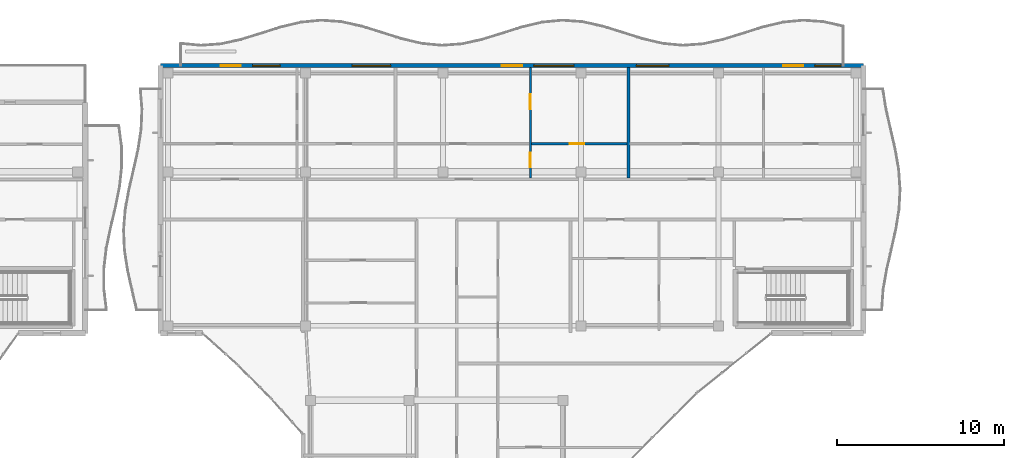
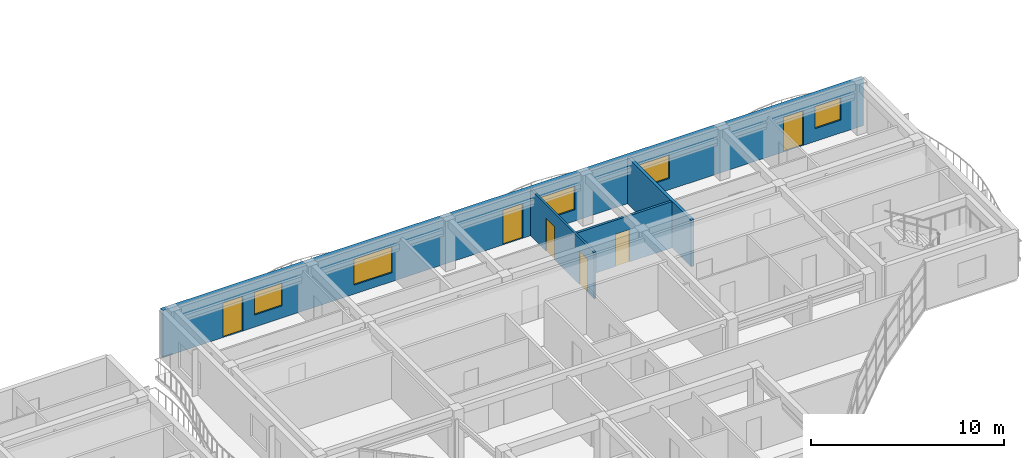
# One storey, part 36 of 71: 6 doors, 5 windows, 4 walls, 11 openings.
"""IFC4 building model written with IfcOpenShell, lengths in metres."""

import ifcopenshell
import ifcopenshell.guid

model = None  # the IFC model being written
_history = None  # IfcOwnerHistory: only IFC2X3 demands one
_inside = {}  # id of a spatial element -> (the spatial element, [elements in it])
_under = {}  # id of a project, library or spatial element -> (it, [spatial elements below it])
_declared = {}  # id of a project -> (the project, [libraries it declares])
_typed = {}  # id of a type object -> (the type object, [elements of that type])
_made_of = {}  # id of a material, layer set ... -> (it, [elements and type objects made of it])


def new_model(schema):
    """Start an empty IFC model of exactly this schema.

    Asked for "IFC4X3", IfcOpenShell would pick the latest addendum, in which some entities
    have other attributes; the version numbers below select the first issue.
    IFC2X3 requires an IfcOwnerHistory on every rooted entity: one is made here for all.
    """
    global model, _history
    if schema == "IFC4X3":
        model = ifcopenshell.file(schema_version=(4, 3, 0, 0))
    else:
        model = ifcopenshell.file(schema=schema)
    _inside.clear()
    _under.clear()
    _declared.clear()
    _typed.clear()
    _made_of.clear()
    _history = None
    if model.schema == "IFC2X3":
        org = make("IfcOrganization", Name="unknown")
        user = make(
            "IfcPersonAndOrganization",
            ThePerson=make("IfcPerson", FamilyName="unknown"),
            TheOrganization=org,
        )
        app = make(
            "IfcApplication",
            ApplicationDeveloper=org,
            Version="unknown",
            ApplicationFullName="unknown",
            ApplicationIdentifier="unknown",
        )
        _history = make(
            "IfcOwnerHistory",
            OwningUser=user,
            OwningApplication=app,
            ChangeAction="ADDED",
            CreationDate=0,
        )
    return model


def make(cls, **values):
    """One entity of the class cls with the attributes given. An attribute that is None is left unset."""
    return model.create_entity(
        cls, **{name: value for name, value in values.items() if value is not None}
    )


def rooted(cls, **values):
    """An entity with a GlobalId (a new one), such as an element, a storey or a relation."""
    return make(cls, GlobalId=ifcopenshell.guid.new(), OwnerHistory=_history, **values)


def si_unit(unit_type, name, prefix=None):
    """IfcSIUnit, for example si_unit("LENGTHUNIT", "METRE", prefix="MILLI")."""
    return make("IfcSIUnit", UnitType=unit_type, Prefix=prefix, Name=name)


def assignment(units):
    """IfcUnitAssignment: the units of a project."""
    return None if units is None else make("IfcUnitAssignment", Units=units)


def point(xyz):
    """IfcCartesianPoint."""
    return None if xyz is None else make("IfcCartesianPoint", Coordinates=xyz)


def direction(xyz):
    """IfcDirection."""
    return None if xyz is None else make("IfcDirection", DirectionRatios=xyz)


def frame(location, z_axis=None, x_axis=None):
    """IfcAxis2Placement3D, a coordinate frame: its origin and axes. An axis left out is left unset."""
    return make(
        "IfcAxis2Placement3D",
        Location=point(location),
        Axis=direction(z_axis),
        RefDirection=direction(x_axis),
    )


def frame_2d(location, x_axis=None):
    """IfcAxis2Placement2D, a coordinate frame in the plane: its origin and x axis."""
    return make(
        "IfcAxis2Placement2D", Location=point(location), RefDirection=direction(x_axis)
    )


def origin():
    """The frame at (0, 0, 0) with its axes left unset."""
    return frame((0.0, 0.0, 0.0))


def place(relative_to, where):
    """IfcLocalPlacement: puts the frame where relative to a parent placement (None: the world)."""
    return make(
        "IfcLocalPlacement", PlacementRelTo=relative_to, RelativePlacement=where
    )


def context(
    kind, dimensions, precision=None, world=None, true_north=None, identifier=None
):
    """IfcGeometricRepresentationContext, for example the 3D "Model" context."""
    return make(
        "IfcGeometricRepresentationContext",
        ContextIdentifier=identifier,
        ContextType=kind,
        CoordinateSpaceDimension=dimensions,
        Precision=precision,
        WorldCoordinateSystem=world,
        TrueNorth=true_north,
    )


def subcontext(parent, identifier, kind, view, scale=None):
    """IfcGeometricRepresentationSubContext, for example "Body" below "Model"."""
    return make(
        "IfcGeometricRepresentationSubContext",
        ContextIdentifier=identifier,
        ContextType=kind,
        ParentContext=parent,
        TargetScale=scale,
        TargetView=view,
    )


def project(units=None, contexts=None):
    """IfcProject with its units and contexts."""
    return rooted(
        "IfcProject",
        Name="project",
        RepresentationContexts=contexts,
        UnitsInContext=assignment(units),
    )


def spatial(cls, under=None, at=None, **own):
    """A site, building, storey or space (cls), placed at a placement, below another one or the project."""
    s = rooted(cls, ObjectPlacement=at, **own)
    if under is not None:
        _under.setdefault(under.id(), (under, []))[1].append(s)
    return s


def profile(cls, at=None, kind="AREA", **sizes):
    """A parametric profile (cls). Its sizes go by their IFC names, for example OverallWidth=200.0."""
    return make(cls, ProfileType=kind, Position=at, **sizes)


def rectangle(**sizes):
    """IfcRectangleProfileDef."""
    return profile("IfcRectangleProfileDef", **sizes)


def extrude(swept, where, along, depth):
    """IfcExtrudedAreaSolid: the profile swept, set in the frame where, extruded along a direction by depth."""
    return make(
        "IfcExtrudedAreaSolid",
        SweptArea=swept,
        Position=where,
        ExtrudedDirection=direction(along),
        Depth=depth,
    )


def shape(context_of_items, identifier, shape_type, items):
    """IfcShapeRepresentation: the items that make up one representation, for example the "Body"."""
    return make(
        "IfcShapeRepresentation",
        ContextOfItems=context_of_items,
        RepresentationIdentifier=identifier,
        RepresentationType=shape_type,
        Items=items,
    )


def material(Name=None, Category=None):
    """IfcMaterial."""
    return make("IfcMaterial", Name=Name, Category=Category)


def layer(
    of_material, thickness, ventilated=None, Name=None, Category=None, Priority=None
):
    """IfcMaterialLayer: one layer of a wall or slab, of a material (None: an air gap)."""
    return make(
        "IfcMaterialLayer",
        Material=of_material,
        LayerThickness=thickness,
        IsVentilated=ventilated,
        Name=Name,
        Category=Category,
        Priority=Priority,
    )


def layer_set(layers, Name=None):
    """IfcMaterialLayerSet."""
    return make("IfcMaterialLayerSet", MaterialLayers=layers, LayerSetName=Name)


def made_of(thing, what):
    """Note that an element or type object is made of a material, layer set ...; save() writes the relation."""
    if what is not None:
        _made_of.setdefault(what.id(), (what, []))[1].append(thing)
    return thing


def type_object(cls, material=None, **own):
    """A type object (cls), such as IfcWallType, which elements share."""
    return made_of(rooted(cls, **own), material)


def element(
    cls,
    number,
    at=None,
    inside=None,
    cuts=None,
    type_object=None,
    material=None,
    context=None,
    identifier="Body",
    shape_type=None,
    held_by="IfcProductDefinitionShape",
    body=None,
    shapes=None,
    **own,
):
    """One element of the class cls, such as IfcWall. Its Tag is "e" and its number.

    at: its placement. inside: the storey or other place that contains it. cuts: it is an
    opening in that element (IfcRelVoidsElement). A single representation is given by context,
    identifier, shape_type and body (its items); several are given by shapes. held_by: the class
    of the entity that holds the representations. save() writes the other relations.
    """
    e = rooted(cls, Tag="e%d" % number, ObjectPlacement=at, **own)
    if body is not None:
        shapes = [shape(context, identifier, shape_type, body)]
    if shapes is not None:
        e.Representation = make(held_by, Representations=shapes)
    if inside is not None:
        _inside.setdefault(inside.id(), (inside, []))[1].append(e)
    if cuts is not None:
        rooted(
            "IfcRelVoidsElement", RelatingBuildingElement=cuts, RelatedOpeningElement=e
        )
    if type_object is not None:
        _typed.setdefault(type_object.id(), (type_object, []))[1].append(e)
    return made_of(e, material)


def fill(opening, filler):
    """IfcRelFillsElement: the door or window that sits in an opening."""
    return rooted(
        "IfcRelFillsElement",
        RelatingOpeningElement=opening,
        RelatedBuildingElement=filler,
    )


def aggregate(whole, parts):
    """IfcRelAggregates: a whole, such as a stair, and the parts it consists of."""
    return rooted("IfcRelAggregates", RelatingObject=whole, RelatedObjects=parts)


def save(model, path):
    """Write the relations noted so far, then the file.

    IfcRelAggregates (storeys below a building ...), IfcRelContainedInSpatialStructure (elements
    in a storey), IfcRelDefinesByType, IfcRelAssociatesMaterial and IfcRelDeclares: one each for
    every whole, place, type object, material and project.
    """
    for whole, parts in _under.values():
        aggregate(whole, parts)
    for where, things in _inside.values():
        rooted(
            "IfcRelContainedInSpatialStructure",
            RelatedElements=things,
            RelatingStructure=where,
        )
    for kind, things in _typed.values():
        rooted("IfcRelDefinesByType", RelatedObjects=things, RelatingType=kind)
    for what, things in _made_of.values():
        rooted("IfcRelAssociatesMaterial", RelatedObjects=things, RelatingMaterial=what)
    for by, libraries in _declared.values():
        rooted("IfcRelDeclares", RelatingContext=by, RelatedDefinitions=libraries)
    model.write(path)


model = new_model("IFC4")

# Units and contexts
model_context = context("Model", 3, precision=1e-05, world=origin(), true_north=direction((0.0, 1.0)))
body_context = subcontext(model_context, "Body", "Model", "MODEL_VIEW")
ifc_project = project(units=[si_unit("LENGTHUNIT", "METRE"), si_unit("AREAUNIT", "SQUARE_METRE"), si_unit("VOLUMEUNIT", "CUBIC_METRE"), si_unit("PLANEANGLEUNIT", "RADIAN"), si_unit("MASSUNIT", "GRAM", prefix="KILO")], contexts=[model_context])

# Site, building, storey
site_placement = place(None, origin())
site = spatial("IfcSite", under=ifc_project, at=site_placement, CompositionType="ELEMENT")
building_placement = place(site_placement, origin())
building = spatial("IfcBuilding", under=site, at=building_placement, Name="Keldmere Railside Commons", CompositionType="ELEMENT")
storey_placement = place(building_placement, frame((0.0, 0.0, 20.159912109375)))
storey = spatial("IfcBuildingStorey", under=building, at=storey_placement, Name="L06", CompositionType="ELEMENT", Elevation=20.159912109375)

# Wall
ifc_material_1 = material(Name="Acoustic Gypsum Board Partition", Category="gypsum")
ifc_layer_1 = layer(ifc_material_1, 0.179931640625, Name="Acoustic Demising Partition 180")
ifc_layer_set_1 = layer_set([ifc_layer_1], Name="Acoustic Gypsum Board Partition")
wall_type_1 = type_object("IfcWallType", Name="Acoustic Demising Partition 180", PredefinedType="PARTITIONING", material=ifc_layer_set_1)
wall_1_placement = place(storey_placement, frame((67.449951171875, 109.280029296875, 0.0), z_axis=(0.0, 0.0, 1.0), x_axis=(0.0, 1.0, 0.0)))
element("IfcWall", 1, at=wall_1_placement, inside=storey, type_object=wall_type_1, Name="IW-1 IW-L06-0751", PredefinedType="PARTITIONING", context=body_context, shape_type="SweptSolid", body=[
    extrude(rectangle(XDim=6.599853515625, YDim=0.179931640625, at=frame_2d((3.2998046875, 0.0))), origin(), (0.0, 0.0, 1.0), 2.93505859375),
])

# Wall, openings, doors
ifc_layer_2 = layer(ifc_material_1, 0.1201171875, Name="Apartment Interior Partition 120")
ifc_layer_set_2 = layer_set([ifc_layer_2], Name="Acoustic Gypsum Board Partition")
wall_type_2 = type_object("IfcWallType", Name="Apartment Interior Partition 120", PredefinedType="PARTITIONING", material=ifc_layer_set_2)
wall_2_placement = place(storey_placement, frame((61.60009765625, 109.280029296875, 0.0), z_axis=(0.0, 0.0, 1.0), x_axis=(0.0, 1.0, 0.0)))
wall_2 = element("IfcWall", 2, at=wall_2_placement, inside=storey, type_object=wall_type_2, Name="IW-4 IW-L06-0755", PredefinedType="PARTITIONING", context=body_context, shape_type="SweptSolid", body=[
    extrude(rectangle(XDim=6.599853515625, YDim=0.1201171875, at=frame_2d((3.2998046875, 0.0))), origin(), (0.0, 0.0, 1.0), 2.93505859375),
])
opening_1_placement = place(wall_2_placement, frame((0.656005859375, 0.0, 0.0)))
opening_1 = element("IfcOpeningElement", 3, at=opening_1_placement, cuts=wall_2, Name="Opening ID-04", PredefinedType="OPENING", context=body_context, shape_type="SweptSolid", body=[
    extrude(rectangle(XDim=0.860107421875, YDim=2.10009765625, at=frame_2d((0.43017578125, 1.050048828125))), frame((0.0, 0.070068359375, 0.0), z_axis=(0.0, -1.0, 0.0), x_axis=(1.0, 0.0, 0.0)), (0.0, 0.0, 1.0), 0.14013671875),
])
opening_2_placement = place(wall_2_placement, frame((4.097412109375, 0.0, 0.0)))
opening_2 = element("IfcOpeningElement", 4, at=opening_2_placement, cuts=wall_2, Name="Opening ID-01", PredefinedType="OPENING", context=body_context, shape_type="SweptSolid", body=[
    extrude(rectangle(XDim=0.89990234375, YDim=2.10009765625, at=frame_2d((0.449951171875, 1.050048828125))), frame((0.0, 0.070068359375, 0.0), z_axis=(0.0, -1.0, 0.0), x_axis=(1.0, 0.0, 0.0)), (0.0, 0.0, 1.0), 0.14013671875),
])
ifc_material_2 = material(Name="Engineered Oak Timber", Category="wood")
door_type_1 = type_object("IfcDoorType", Name="Apartment Bathroom Door 860x2100", OperationType="NOTDEFINED", PredefinedType="DOOR", material=ifc_material_2)
door_1_placement = place(opening_1_placement, origin())
door_1 = element("IfcDoor", 5, at=door_1_placement, inside=storey, type_object=door_type_1, Name="ID-04 IDR-L06-0641", OperationType="SINGLE_SWING_LEFT", OverallHeight=2.10009765625, OverallWidth=0.860107421875, PredefinedType="DOOR", context=body_context, shape_type="SweptSolid", body=[
    extrude(rectangle(XDim=0.860107421875, YDim=2.10009765625, at=frame_2d((0.43017578125, 1.050048828125))), frame((0.0, 0.02490234375, 0.0), z_axis=(0.0, -1.0, 0.0), x_axis=(1.0, 0.0, 0.0)), (0.0, 0.0, 1.0), 0.050048828125),
])
fill(opening_1, door_1)
door_type_2 = type_object("IfcDoorType", Name="Primary Bedroom Door 900x2100", OperationType="NOTDEFINED", PredefinedType="DOOR", material=ifc_material_2)
door_2_placement = place(opening_2_placement, origin())
door_2 = element("IfcDoor", 6, at=door_2_placement, inside=storey, type_object=door_type_2, Name="ID-01 IDR-L06-0642", OperationType="SINGLE_SWING_RIGHT", OverallHeight=2.10009765625, OverallWidth=0.89990234375, PredefinedType="DOOR", context=body_context, shape_type="SweptSolid", body=[
    extrude(rectangle(XDim=0.89990234375, YDim=2.10009765625, at=frame_2d((0.449951171875, 1.050048828125))), frame((0.0, 0.02490234375, 0.0), z_axis=(0.0, -1.0, 0.0), x_axis=(1.0, 0.0, 0.0)), (0.0, 0.0, 1.0), 0.050048828125),
])
fill(opening_2, door_2)

# Wall, openings, windows, doors
ifc_material_3 = material(Name="Architectural Precast Concrete H-35 (C35/45)", Category="concrete")
ifc_layer_3 = layer(ifc_material_3, 0.239990234375, Name="Sand-Ochre Precast Cavity Wall 240")
ifc_layer_set_3 = layer_set([ifc_layer_3], Name="Architectural Precast Concrete H-35 (C35/45)")
wall_type_3 = type_object("IfcWallType", Name="Sand-Ochre Precast Cavity Wall 240", PredefinedType="SOLIDWALL", material=ifc_layer_set_3)
wall_3_placement = place(storey_placement, frame((39.5, 116.0, 0.0), z_axis=(0.0, 0.0, 1.0), x_axis=(1.0, 0.0, 0.0)))
wall_3 = element("IfcWall", 7, at=wall_3_placement, inside=storey, type_object=wall_type_3, Name="EW-2 EXTC-L06-0375", PredefinedType="SOLIDWALL", context=body_context, shape_type="SweptSolid", body=[
    extrude(rectangle(XDim=42.0, YDim=0.239990234375, at=frame_2d((21.0, 0.0))), origin(), (0.0, 0.0, 1.0), 2.97998046875),
])
opening_3_placement = place(wall_3_placement, frame((3.60009765625, 0.0, 0.0)))
opening_3 = element("IfcOpeningElement", 8, at=opening_3_placement, cuts=wall_3, Name="Opening BD-01", PredefinedType="OPENING", context=body_context, shape_type="SweptSolid", body=[
    extrude(rectangle(XDim=1.199951171875, YDim=2.199951171875, at=frame_2d((0.60009765625, 1.10009765625))), frame((0.0, 0.1298828125, 0.0), z_axis=(0.0, -1.0, 0.0), x_axis=(1.0, 0.0, 0.0)), (0.0, 0.0, 1.0), 0.260009765625),
])
opening_4_placement = place(wall_3_placement, frame((5.5, 0.0, 0.77001953125)))
opening_4 = element("IfcOpeningElement", 9, at=opening_4_placement, cuts=wall_3, Name="Opening WN-03", PredefinedType="OPENING", context=body_context, shape_type="SweptSolid", body=[
    extrude(rectangle(XDim=1.64990234375, YDim=1.449951171875, at=frame_2d((0.824951171875, 0.72509765625))), frame((0.0, 0.1298828125, 0.0), z_axis=(0.0, -1.0, 0.0), x_axis=(1.0, 0.0, 0.0)), (0.0, 0.0, 1.0), 0.260009765625),
])
opening_5_placement = place(wall_3_placement, frame((11.449951171875, 0.0, 0.570068359375)))
opening_5 = element("IfcOpeningElement", 10, at=opening_5_placement, cuts=wall_3, Name="Opening WN-23", PredefinedType="OPENING", context=body_context, shape_type="SweptSolid", body=[
    extrude(rectangle(XDim=2.300048828125, YDim=1.64990234375, at=frame_2d((1.14990234375, 0.824951171875))), frame((0.0, 0.1298828125, 0.0), z_axis=(0.0, -1.0, 0.0), x_axis=(1.0, 0.0, 0.0)), (0.0, 0.0, 1.0), 0.260009765625),
])
opening_6_placement = place(wall_3_placement, frame((20.39990234375, 0.0, 0.0)))
opening_6 = element("IfcOpeningElement", 11, at=opening_6_placement, cuts=wall_3, Name="Opening BD-01", PredefinedType="OPENING", context=body_context, shape_type="SweptSolid", body=[
    extrude(rectangle(XDim=1.199951171875, YDim=2.199951171875, at=frame_2d((0.60009765625, 1.10009765625))), frame((0.0, 0.1298828125, 0.0), z_axis=(0.0, -1.0, 0.0), x_axis=(1.0, 0.0, 0.0)), (0.0, 0.0, 1.0), 0.260009765625),
])
opening_7_placement = place(wall_3_placement, frame((22.300048828125, 0.0, 0.719970703125)))
opening_7 = element("IfcOpeningElement", 12, at=opening_7_placement, cuts=wall_3, Name="Opening WN-05", PredefinedType="OPENING", context=body_context, shape_type="SweptSolid", body=[
    extrude(rectangle(XDim=2.39990234375, YDim=1.5, at=frame_2d((1.199951171875, 0.75))), frame((0.0, 0.1298828125, 0.0), z_axis=(0.0, -1.0, 0.0), x_axis=(1.0, 0.0, 0.0)), (0.0, 0.0, 1.0), 0.260009765625),
])
opening_8_placement = place(wall_3_placement, frame((28.425048828125, 0.0, 0.719970703125)))
opening_8 = element("IfcOpeningElement", 13, at=opening_8_placement, cuts=wall_3, Name="Opening WN-38", PredefinedType="OPENING", context=body_context, shape_type="SweptSolid", body=[
    extrude(rectangle(XDim=1.949951171875, YDim=1.5, at=frame_2d((0.97509765625, 0.75))), frame((0.0, 0.1298828125, 0.0), z_axis=(0.0, -1.0, 0.0), x_axis=(1.0, 0.0, 0.0)), (0.0, 0.0, 1.0), 0.260009765625),
])
opening_9_placement = place(wall_3_placement, frame((37.199951171875, 0.0, 0.0)))
opening_9 = element("IfcOpeningElement", 14, at=opening_9_placement, cuts=wall_3, Name="Opening BD-01", PredefinedType="OPENING", context=body_context, shape_type="SweptSolid", body=[
    extrude(rectangle(XDim=1.199951171875, YDim=2.199951171875, at=frame_2d((0.60009765625, 1.10009765625))), frame((0.0, 0.1298828125, 0.0), z_axis=(0.0, -1.0, 0.0), x_axis=(1.0, 0.0, 0.0)), (0.0, 0.0, 1.0), 0.260009765625),
])
opening_10_placement = place(wall_3_placement, frame((39.10009765625, 0.0, 0.820068359375)))
opening_10 = element("IfcOpeningElement", 15, at=opening_10_placement, cuts=wall_3, Name="Opening WN-07", PredefinedType="OPENING", context=body_context, shape_type="SweptSolid", body=[
    extrude(rectangle(XDim=1.550048828125, YDim=1.39990234375, at=frame_2d((0.77490234375, 0.699951171875))), frame((0.0, 0.1298828125, 0.0), z_axis=(0.0, -1.0, 0.0), x_axis=(1.0, 0.0, 0.0)), (0.0, 0.0, 1.0), 0.260009765625),
])
ifc_material_4 = material(Name="Low-E Insulated Double Glazing", Category="glass")
window_type_1 = type_object("IfcWindowType", Name="Adaptable Apartment Wide Window 1950x1500", PartitioningType="SINGLE_PANEL", PredefinedType="WINDOW", material=ifc_material_4)
window_1_placement = place(opening_8_placement, origin())
window_1 = element("IfcWindow", 16, at=window_1_placement, inside=storey, type_object=window_type_1, Name="WN-38 WIN-L06-0279", OverallHeight=1.5, OverallWidth=1.949951171875, PartitioningType="SINGLE_PANEL", PredefinedType="WINDOW", context=body_context, shape_type="SweptSolid", body=[
    extrude(rectangle(XDim=1.949951171875, YDim=1.5, at=frame_2d((0.97509765625, 0.75))), frame((0.0, 0.030029296875, 0.0), z_axis=(0.0, -1.0, 0.0), x_axis=(1.0, 0.0, 0.0)), (0.0, 0.0, 1.0), 0.06005859375),
])
fill(opening_8, window_1)
ifc_material_5 = material(Name="Thermally Broken Aluminium", Category="aluminium")
door_type_3 = type_object("IfcDoorType", Name="Apartment Living Wave-Balcony Glazed Door 1200x2200", OperationType="NOTDEFINED", PredefinedType="DOOR", material=ifc_material_5)
door_3_placement = place(opening_3_placement, origin())
door_3 = element("IfcDoor", 17, at=door_3_placement, inside=storey, type_object=door_type_3, Name="BD-01 DR-L06-0096", OperationType="SINGLE_SWING_RIGHT", OverallHeight=2.199951171875, OverallWidth=1.199951171875, PredefinedType="DOOR", context=body_context, shape_type="SweptSolid", body=[
    extrude(rectangle(XDim=1.199951171875, YDim=2.199951171875, at=frame_2d((0.60009765625, 1.10009765625))), frame((0.0, 0.02490234375, 0.0), z_axis=(0.0, -1.0, 0.0), x_axis=(1.0, 0.0, 0.0)), (0.0, 0.0, 1.0), 0.050048828125),
])
fill(opening_3, door_3)
door_4_placement = place(opening_6_placement, origin())
door_4 = element("IfcDoor", 18, at=door_4_placement, inside=storey, type_object=door_type_3, Name="BD-01 DR-L06-0097", OperationType="SINGLE_SWING_LEFT", OverallHeight=2.199951171875, OverallWidth=1.199951171875, PredefinedType="DOOR", context=body_context, shape_type="SweptSolid", body=[
    extrude(rectangle(XDim=1.199951171875, YDim=2.199951171875, at=frame_2d((0.60009765625, 1.10009765625))), frame((0.0, 0.02490234375, 0.0), z_axis=(0.0, -1.0, 0.0), x_axis=(1.0, 0.0, 0.0)), (0.0, 0.0, 1.0), 0.050048828125),
])
fill(opening_6, door_4)
door_5_placement = place(opening_9_placement, origin())
door_5 = element("IfcDoor", 19, at=door_5_placement, inside=storey, type_object=door_type_3, Name="BD-01 DR-L06-0098", OperationType="SINGLE_SWING_RIGHT", OverallHeight=2.199951171875, OverallWidth=1.199951171875, PredefinedType="DOOR", context=body_context, shape_type="SweptSolid", body=[
    extrude(rectangle(XDim=1.199951171875, YDim=2.199951171875, at=frame_2d((0.60009765625, 1.10009765625))), frame((0.0, 0.02490234375, 0.0), z_axis=(0.0, -1.0, 0.0), x_axis=(1.0, 0.0, 0.0)), (0.0, 0.0, 1.0), 0.050048828125),
])
fill(opening_9, door_5)
window_type_2 = type_object("IfcWindowType", Name="Corner Dual-Aspect Ribbon Window 2400x1500", PartitioningType="SINGLE_PANEL", PredefinedType="WINDOW", material=ifc_material_4)
window_2_placement = place(opening_7_placement, origin())
window_2 = element("IfcWindow", 20, at=window_2_placement, inside=storey, type_object=window_type_2, Name="WN-05 WIN-L06-0278", OverallHeight=1.5, OverallWidth=2.39990234375, PartitioningType="SINGLE_PANEL", PredefinedType="WINDOW", context=body_context, shape_type="SweptSolid", body=[
    extrude(rectangle(XDim=2.39990234375, YDim=1.5, at=frame_2d((1.199951171875, 0.75))), frame((0.0, 0.030029296875, 0.0), z_axis=(0.0, -1.0, 0.0), x_axis=(1.0, 0.0, 0.0)), (0.0, 0.0, 1.0), 0.06005859375),
])
fill(opening_7, window_2)
window_type_3 = type_object("IfcWindowType", Name="Living Room East Shaded Window 1650x1450", PartitioningType="SINGLE_PANEL", PredefinedType="WINDOW", material=ifc_material_4)
window_3_placement = place(opening_4_placement, origin())
window_3 = element("IfcWindow", 21, at=window_3_placement, inside=storey, type_object=window_type_3, Name="WN-03 WIN-L06-0276", OverallHeight=1.449951171875, OverallWidth=1.64990234375, PartitioningType="SINGLE_PANEL", PredefinedType="WINDOW", context=body_context, shape_type="SweptSolid", body=[
    extrude(rectangle(XDim=1.64990234375, YDim=1.449951171875, at=frame_2d((0.824951171875, 0.72509765625))), frame((0.0, 0.030029296875, 0.0), z_axis=(0.0, -1.0, 0.0), x_axis=(1.0, 0.0, 0.0)), (0.0, 0.0, 1.0), 0.06005859375),
])
fill(opening_4, window_3)
window_type_4 = type_object("IfcWindowType", Name="Primary Bedroom South Window 1550x1400", PartitioningType="SINGLE_PANEL", PredefinedType="WINDOW", material=ifc_material_4)
window_4_placement = place(opening_10_placement, origin())
window_4 = element("IfcWindow", 22, at=window_4_placement, inside=storey, type_object=window_type_4, Name="WN-07 WIN-L06-0280", OverallHeight=1.39990234375, OverallWidth=1.550048828125, PartitioningType="SINGLE_PANEL", PredefinedType="WINDOW", context=body_context, shape_type="SweptSolid", body=[
    extrude(rectangle(XDim=1.550048828125, YDim=1.39990234375, at=frame_2d((0.77490234375, 0.699951171875))), frame((0.0, 0.030029296875, 0.0), z_axis=(0.0, -1.0, 0.0), x_axis=(1.0, 0.0, 0.0)), (0.0, 0.0, 1.0), 0.06005859375),
])
fill(opening_10, window_4)
window_type_5 = type_object("IfcWindowType", Name="Setback Terrace Penthouse Window 2300x1650", PartitioningType="SINGLE_PANEL", PredefinedType="WINDOW", material=ifc_material_4)
window_5_placement = place(opening_5_placement, origin())
window_5 = element("IfcWindow", 23, at=window_5_placement, inside=storey, type_object=window_type_5, Name="WN-23 WIN-L06-0277", OverallHeight=1.64990234375, OverallWidth=2.300048828125, PartitioningType="SINGLE_PANEL", PredefinedType="WINDOW", context=body_context, shape_type="SweptSolid", body=[
    extrude(rectangle(XDim=2.300048828125, YDim=1.64990234375, at=frame_2d((1.14990234375, 0.824951171875))), frame((0.0, 0.030029296875, 0.0), z_axis=(0.0, -1.0, 0.0), x_axis=(1.0, 0.0, 0.0)), (0.0, 0.0, 1.0), 0.06005859375),
])
fill(opening_5, window_5)

# Wall, opening, door
ifc_layer_4 = layer(ifc_material_1, 0.139892578125, Name="Wet-Room Sanitary Partition 140")
ifc_layer_set_4 = layer_set([ifc_layer_4], Name="Acoustic Gypsum Board Partition")
wall_type_4 = type_object("IfcWallType", Name="Wet-Room Sanitary Partition 140", PredefinedType="PARTITIONING", material=ifc_layer_set_4)
wall_4_placement = place(storey_placement, frame((61.659912109375, 111.330078125, 0.0), z_axis=(0.0, 0.0, 1.0), x_axis=(1.0, 0.0, 0.0)))
wall_4 = element("IfcWall", 24, at=wall_4_placement, inside=storey, type_object=wall_type_4, Name="IW-5 IW-L06-0756", PredefinedType="PARTITIONING", context=body_context, shape_type="SweptSolid", body=[
    extrude(rectangle(XDim=5.7001953125, YDim=0.139892578125, at=frame_2d((2.85009765625, 0.0))), origin(), (0.0, 0.0, 1.0), 2.93505859375),
])
opening_11_placement = place(wall_4_placement, frame((2.303955078125, 0.0, 0.0)))
opening_11 = element("IfcOpeningElement", 25, at=opening_11_placement, cuts=wall_4, Name="Opening ID-06", PredefinedType="OPENING", context=body_context, shape_type="SweptSolid", body=[
    extrude(rectangle(XDim=0.85009765625, YDim=2.050048828125, at=frame_2d((0.425048828125, 1.02490234375))), frame((0.0, 0.079833984375, 0.0), z_axis=(0.0, -1.0, 0.0), x_axis=(1.0, 0.0, 0.0)), (0.0, 0.0, 1.0), 0.159912109375),
])
door_type_4 = type_object("IfcDoorType", Name="Storage Closet Door 850x2050", OperationType="NOTDEFINED", PredefinedType="DOOR", material=ifc_material_2)
door_6_placement = place(opening_11_placement, origin())
door_6 = element("IfcDoor", 26, at=door_6_placement, inside=storey, type_object=door_type_4, Name="ID-06 IDR-L06-0643", OperationType="SINGLE_SWING_LEFT", OverallHeight=2.050048828125, OverallWidth=0.85009765625, PredefinedType="DOOR", context=body_context, shape_type="SweptSolid", body=[
    extrude(rectangle(XDim=0.85009765625, YDim=2.050048828125, at=frame_2d((0.425048828125, 1.02490234375))), frame((0.0, 0.02490234375, 0.0), z_axis=(0.0, -1.0, 0.0), x_axis=(1.0, 0.0, 0.0)), (0.0, 0.0, 1.0), 0.050048828125),
])
fill(opening_11, door_6)

save(model, "model.ifc")
